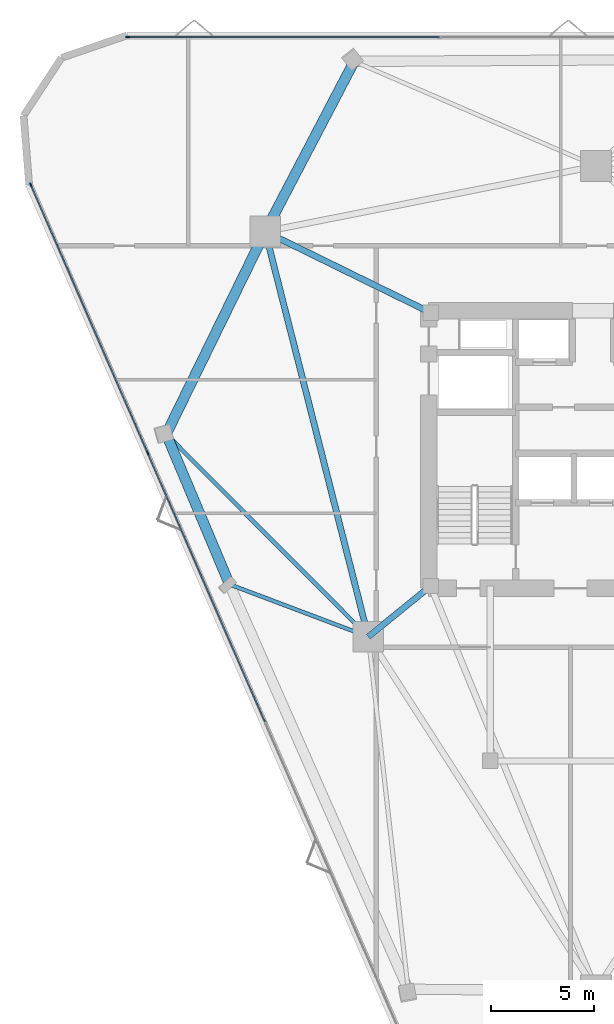
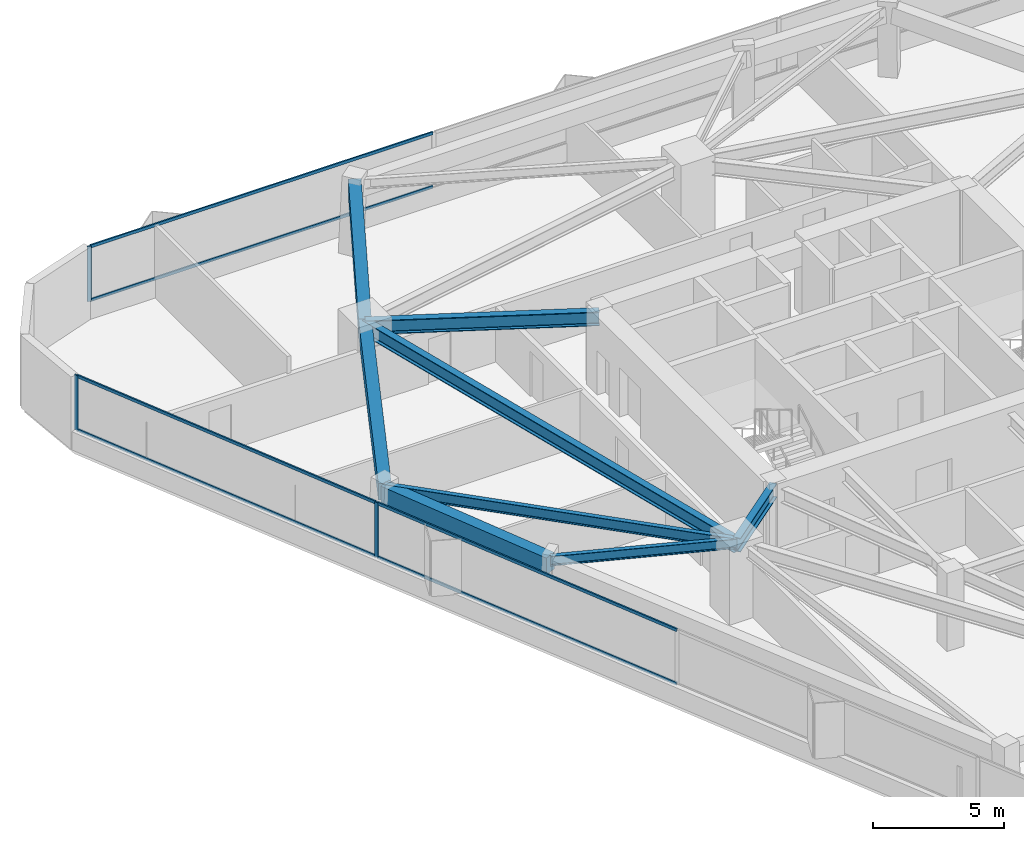
# One storey, part 4 of 11: 9 members, 8 beams, 2 elements without a shape of their own.
"""IFC4 building model written with IfcOpenShell, lengths in metres."""

import ifcopenshell
import ifcopenshell.guid

model = None  # the IFC model being written
_history = None  # IfcOwnerHistory: only IFC2X3 demands one
_inside = {}  # id of a spatial element -> (the spatial element, [elements in it])
_under = {}  # id of a project, library or spatial element -> (it, [spatial elements below it])
_declared = {}  # id of a project -> (the project, [libraries it declares])
_typed = {}  # id of a type object -> (the type object, [elements of that type])
_made_of = {}  # id of a material, layer set ... -> (it, [elements and type objects made of it])


def new_model(schema):
    """Start an empty IFC model of exactly this schema.

    Asked for "IFC4X3", IfcOpenShell would pick the latest addendum, in which some entities
    have other attributes; the version numbers below select the first issue.
    IFC2X3 requires an IfcOwnerHistory on every rooted entity: one is made here for all.
    """
    global model, _history
    if schema == "IFC4X3":
        model = ifcopenshell.file(schema_version=(4, 3, 0, 0))
    else:
        model = ifcopenshell.file(schema=schema)
    _inside.clear()
    _under.clear()
    _declared.clear()
    _typed.clear()
    _made_of.clear()
    _history = None
    if model.schema == "IFC2X3":
        org = make("IfcOrganization", Name="unknown")
        user = make(
            "IfcPersonAndOrganization",
            ThePerson=make("IfcPerson", FamilyName="unknown"),
            TheOrganization=org,
        )
        app = make(
            "IfcApplication",
            ApplicationDeveloper=org,
            Version="unknown",
            ApplicationFullName="unknown",
            ApplicationIdentifier="unknown",
        )
        _history = make(
            "IfcOwnerHistory",
            OwningUser=user,
            OwningApplication=app,
            ChangeAction="ADDED",
            CreationDate=0,
        )
    return model


def make(cls, **values):
    """One entity of the class cls with the attributes given. An attribute that is None is left unset."""
    return model.create_entity(
        cls, **{name: value for name, value in values.items() if value is not None}
    )


def rooted(cls, **values):
    """An entity with a GlobalId (a new one), such as an element, a storey or a relation."""
    return make(cls, GlobalId=ifcopenshell.guid.new(), OwnerHistory=_history, **values)


def si_unit(unit_type, name, prefix=None):
    """IfcSIUnit, for example si_unit("LENGTHUNIT", "METRE", prefix="MILLI")."""
    return make("IfcSIUnit", UnitType=unit_type, Prefix=prefix, Name=name)


def assignment(units):
    """IfcUnitAssignment: the units of a project."""
    return None if units is None else make("IfcUnitAssignment", Units=units)


def point(xyz):
    """IfcCartesianPoint."""
    return None if xyz is None else make("IfcCartesianPoint", Coordinates=xyz)


def direction(xyz):
    """IfcDirection."""
    return None if xyz is None else make("IfcDirection", DirectionRatios=xyz)


def frame(location, z_axis=None, x_axis=None):
    """IfcAxis2Placement3D, a coordinate frame: its origin and axes. An axis left out is left unset."""
    return make(
        "IfcAxis2Placement3D",
        Location=point(location),
        Axis=direction(z_axis),
        RefDirection=direction(x_axis),
    )


def frame_2d(location, x_axis=None):
    """IfcAxis2Placement2D, a coordinate frame in the plane: its origin and x axis."""
    return make(
        "IfcAxis2Placement2D", Location=point(location), RefDirection=direction(x_axis)
    )


def origin():
    """The frame at (0, 0, 0) with its axes left unset."""
    return frame((0.0, 0.0, 0.0))


def origin_2d():
    """The frame at (0, 0) in the plane with its x axis left unset."""
    return frame_2d((0.0, 0.0))


def place(relative_to, where):
    """IfcLocalPlacement: puts the frame where relative to a parent placement (None: the world)."""
    return make(
        "IfcLocalPlacement", PlacementRelTo=relative_to, RelativePlacement=where
    )


def context(
    kind, dimensions, precision=None, world=None, true_north=None, identifier=None
):
    """IfcGeometricRepresentationContext, for example the 3D "Model" context."""
    return make(
        "IfcGeometricRepresentationContext",
        ContextIdentifier=identifier,
        ContextType=kind,
        CoordinateSpaceDimension=dimensions,
        Precision=precision,
        WorldCoordinateSystem=world,
        TrueNorth=true_north,
    )


def subcontext(parent, identifier, kind, view, scale=None):
    """IfcGeometricRepresentationSubContext, for example "Body" below "Model"."""
    return make(
        "IfcGeometricRepresentationSubContext",
        ContextIdentifier=identifier,
        ContextType=kind,
        ParentContext=parent,
        TargetScale=scale,
        TargetView=view,
    )


def project(units=None, contexts=None):
    """IfcProject with its units and contexts."""
    return rooted(
        "IfcProject",
        Name="project",
        RepresentationContexts=contexts,
        UnitsInContext=assignment(units),
    )


def spatial(cls, under=None, at=None, **own):
    """A site, building, storey or space (cls), placed at a placement, below another one or the project."""
    s = rooted(cls, ObjectPlacement=at, **own)
    if under is not None:
        _under.setdefault(under.id(), (under, []))[1].append(s)
    return s


def profile(cls, at=None, kind="AREA", **sizes):
    """A parametric profile (cls). Its sizes go by their IFC names, for example OverallWidth=200.0."""
    return make(cls, ProfileType=kind, Position=at, **sizes)


def rectangle(**sizes):
    """IfcRectangleProfileDef."""
    return profile("IfcRectangleProfileDef", **sizes)


def i_section(**sizes):
    """IfcIShapeProfileDef."""
    return profile("IfcIShapeProfileDef", **sizes)


def extrude(swept, where, along, depth):
    """IfcExtrudedAreaSolid: the profile swept, set in the frame where, extruded along a direction by depth."""
    return make(
        "IfcExtrudedAreaSolid",
        SweptArea=swept,
        Position=where,
        ExtrudedDirection=direction(along),
        Depth=depth,
    )


def shape(context_of_items, identifier, shape_type, items):
    """IfcShapeRepresentation: the items that make up one representation, for example the "Body"."""
    return make(
        "IfcShapeRepresentation",
        ContextOfItems=context_of_items,
        RepresentationIdentifier=identifier,
        RepresentationType=shape_type,
        Items=items,
    )


def material(Name=None, Category=None):
    """IfcMaterial."""
    return make("IfcMaterial", Name=Name, Category=Category)


def layer(
    of_material, thickness, ventilated=None, Name=None, Category=None, Priority=None
):
    """IfcMaterialLayer: one layer of a wall or slab, of a material (None: an air gap)."""
    return make(
        "IfcMaterialLayer",
        Material=of_material,
        LayerThickness=thickness,
        IsVentilated=ventilated,
        Name=Name,
        Category=Category,
        Priority=Priority,
    )


def layer_set(layers, Name=None):
    """IfcMaterialLayerSet."""
    return make("IfcMaterialLayerSet", MaterialLayers=layers, LayerSetName=Name)


def material_profile(
    of_material, cross_section, Name=None, Category=None, Priority=None
):
    """IfcMaterialProfile: a cross section and its material."""
    return make(
        "IfcMaterialProfile",
        Name=Name,
        Material=of_material,
        Profile=cross_section,
        Priority=Priority,
        Category=Category,
    )


def profile_set(profiles, Name=None, composite=None):
    """IfcMaterialProfileSet."""
    return make(
        "IfcMaterialProfileSet",
        Name=Name,
        MaterialProfiles=profiles,
        CompositeProfile=composite,
    )


def made_of(thing, what):
    """Note that an element or type object is made of a material, layer set ...; save() writes the relation."""
    if what is not None:
        _made_of.setdefault(what.id(), (what, []))[1].append(thing)
    return thing


def type_object(cls, material=None, **own):
    """A type object (cls), such as IfcWallType, which elements share."""
    return made_of(rooted(cls, **own), material)


def element(
    cls,
    number,
    at=None,
    inside=None,
    cuts=None,
    type_object=None,
    material=None,
    context=None,
    identifier="Body",
    shape_type=None,
    held_by="IfcProductDefinitionShape",
    body=None,
    shapes=None,
    **own,
):
    """One element of the class cls, such as IfcWall. Its Tag is "e" and its number.

    at: its placement. inside: the storey or other place that contains it. cuts: it is an
    opening in that element (IfcRelVoidsElement). A single representation is given by context,
    identifier, shape_type and body (its items); several are given by shapes. held_by: the class
    of the entity that holds the representations. save() writes the other relations.
    """
    e = rooted(cls, Tag="e%d" % number, ObjectPlacement=at, **own)
    if body is not None:
        shapes = [shape(context, identifier, shape_type, body)]
    if shapes is not None:
        e.Representation = make(held_by, Representations=shapes)
    if inside is not None:
        _inside.setdefault(inside.id(), (inside, []))[1].append(e)
    if cuts is not None:
        rooted(
            "IfcRelVoidsElement", RelatingBuildingElement=cuts, RelatedOpeningElement=e
        )
    if type_object is not None:
        _typed.setdefault(type_object.id(), (type_object, []))[1].append(e)
    return made_of(e, material)


def aggregate(whole, parts):
    """IfcRelAggregates: a whole, such as a stair, and the parts it consists of."""
    return rooted("IfcRelAggregates", RelatingObject=whole, RelatedObjects=parts)


def save(model, path):
    """Write the relations noted so far, then the file.

    IfcRelAggregates (storeys below a building ...), IfcRelContainedInSpatialStructure (elements
    in a storey), IfcRelDefinesByType, IfcRelAssociatesMaterial and IfcRelDeclares: one each for
    every whole, place, type object, material and project.
    """
    for whole, parts in _under.values():
        aggregate(whole, parts)
    for where, things in _inside.values():
        rooted(
            "IfcRelContainedInSpatialStructure",
            RelatedElements=things,
            RelatingStructure=where,
        )
    for kind, things in _typed.values():
        rooted("IfcRelDefinesByType", RelatedObjects=things, RelatingType=kind)
    for what, things in _made_of.values():
        rooted("IfcRelAssociatesMaterial", RelatedObjects=things, RelatingMaterial=what)
    for by, libraries in _declared.values():
        rooted("IfcRelDeclares", RelatingContext=by, RelatedDefinitions=libraries)
    model.write(path)


model = new_model("IFC4")

# Units and contexts
model_context = context("Model", 3, precision=1e-05, world=origin(), true_north=direction((0.0, 1.0)))
body_context = subcontext(model_context, "Body", "Model", "MODEL_VIEW")
ifc_project = project(units=[si_unit("LENGTHUNIT", "METRE"), si_unit("AREAUNIT", "SQUARE_METRE"), si_unit("VOLUMEUNIT", "CUBIC_METRE"), si_unit("PLANEANGLEUNIT", "RADIAN"), si_unit("MASSUNIT", "GRAM", prefix="KILO")], contexts=[model_context])

# Site, building, storey
site_placement = place(None, origin())
site = spatial("IfcSite", under=ifc_project, at=site_placement, CompositionType="ELEMENT")
building_placement = place(site_placement, origin())
building = spatial("IfcBuilding", under=site, at=building_placement, Name="Talyreon Biosciences Tower", CompositionType="ELEMENT")
storey_placement = place(building_placement, frame((0.0, 0.0, 160.050048828125)))
storey = spatial("IfcBuildingStorey", under=building, at=storey_placement, Name="L42", CompositionType="ELEMENT", Elevation=160.050048828125)

# Curtain wall, members
ifc_material_1 = material(Name="Thermally broken aluminium and low-E glazing", Category="aluminium")
ifc_layer = layer(ifc_material_1, 0.18505859375)
ifc_layer_set = layer_set([ifc_layer], Name="Thermally broken aluminium and low-E glazing")
curtain_wall_type = type_object("IfcCurtainWallType", Name="CurtainWall_Zone3Bioprocess", PredefinedType="NOTDEFINED", material=ifc_layer_set)
curtain_wall_1_placement = place(storey_placement, origin())
curtain_wall_1 = element("IfcCurtainWall", 1, at=curtain_wall_1_placement, inside=storey, type_object=curtain_wall_type, Name="L42 Unitised Curtain Wall FCW-L42-00", PredefinedType="NOTDEFINED")
ifc_material_2 = material(Name="Anodised thermally broken aluminium", Category="aluminium")
ifc_material_profile_1 = material_profile(ifc_material_2, rectangle(XDim=0.06494140625, YDim=0.179931640625, at=origin_2d()), Name="ALUM MULLION 65x180")
ifc_profile_set_1 = profile_set([ifc_material_profile_1], Name="Anodised thermally broken aluminium")
member_type_1 = type_object("IfcMemberType", Name="CWMullion_65x180", PredefinedType="MULLION", material=ifc_profile_set_1)
member_1_placement = place(storey_placement, frame((44.18603515625, 67.81201171875, 0.81005859375), z_axis=(0.0, 0.0, 1.0), x_axis=(-0.916731187474, -0.399504605621, 0.0)))
member_1 = element("IfcMember", 2, at=member_1_placement, type_object=member_type_1, Name="CW4 mullion 4", PredefinedType="MULLION", context=body_context, shape_type="SweptSolid", body=[
    extrude(rectangle(XDim=0.06494140625, YDim=0.179931640625, at=origin_2d()), origin(), (0.0, 0.0, 1.0), 2.56494140625),
])
member_2_placement = place(storey_placement, frame((38.492431640625, 80.877197265625, 0.81005859375), z_axis=(0.0, 0.0, 1.0), x_axis=(-0.916731187474, -0.399504605621, 0.0)))
member_2 = element("IfcMember", 3, at=member_2_placement, type_object=member_type_1, Name="CW4 mullion 5", PredefinedType="MULLION", context=body_context, shape_type="SweptSolid", body=[
    extrude(rectangle(XDim=0.06494140625, YDim=0.179931640625, at=origin_2d()), origin(), (0.0, 0.0, 1.0), 2.56494140625),
])

# Curtain wall, member
curtain_wall_2_placement = place(storey_placement, origin())
curtain_wall_2 = element("IfcCurtainWall", 4, at=curtain_wall_2_placement, inside=storey, type_object=curtain_wall_type, Name="L42 Unitised Curtain Wall FCW-L42-04", PredefinedType="NOTDEFINED")
member_3_placement = place(storey_placement, frame((43.20556640625, 88.072509765625, 0.81005859375), z_axis=(0.0, 0.0, 1.0), x_axis=(0.0, 1.0, 0.0)))
member_3 = element("IfcMember", 5, at=member_3_placement, type_object=member_type_1, Name="CW4 mullion 1", PredefinedType="MULLION", context=body_context, shape_type="SweptSolid", body=[
    extrude(rectangle(XDim=0.06494140625, YDim=0.179931640625, at=origin_2d()), origin(), (0.0, 0.0, 1.0), 2.56494140625),
])

# Member
ifc_material_profile_2 = material_profile(ifc_material_2, rectangle(XDim=0.06494140625, YDim=0.139892578125, at=origin_2d()), Name="ALUM TRANSOM 65x140")
ifc_profile_set_2 = profile_set([ifc_material_profile_2], Name="Anodised thermally broken aluminium")
member_type_2 = type_object("IfcMemberType", Name="CWTransom_65x140", PredefinedType="USERDEFINED", material=ifc_profile_set_2)
member_4_placement = place(storey_placement, frame((49.8798828125, 54.746826171875, 0.842529296875), z_axis=(-0.399500699967, 0.916732889519, 0.0), x_axis=(-0.916732889519, -0.399500699967, 0.0)))
member_4 = element("IfcMember", 6, at=member_4_placement, type_object=member_type_2, Name="CW4 transom 3.1", ObjectType="TRANSOM", PredefinedType="USERDEFINED", context=body_context, shape_type="SweptSolid", body=[
    extrude(rectangle(XDim=0.06494140625, YDim=0.139892578125, at=origin_2d()), origin(), (0.0, 0.0, 1.0), 14.219482421875),
])

member_5_placement = place(storey_placement, frame((49.8798828125, 54.746826171875, 3.342529296875), z_axis=(-0.399500699967, 0.916732889519, 0.0), x_axis=(-0.916732889519, -0.399500699967, 0.0)))
member_5 = element("IfcMember", 7, at=member_5_placement, type_object=member_type_2, Name="CW4 transom 3.2", ObjectType="TRANSOM", PredefinedType="USERDEFINED", context=body_context, shape_type="SweptSolid", body=[
    extrude(rectangle(XDim=0.06494140625, YDim=0.139892578125, at=origin_2d()), origin(), (0.0, 0.0, 1.0), 14.219482421875),
])

member_6_placement = place(storey_placement, frame((44.173095703125, 67.841796875, 0.842529296875), z_axis=(-0.399503101725, 0.916731842859, 0.0), x_axis=(-0.916731842859, -0.399503101725, 0.0)))
member_6 = element("IfcMember", 8, at=member_6_placement, type_object=member_type_2, Name="CW4 transom 4.1", ObjectType="TRANSOM", PredefinedType="USERDEFINED", context=body_context, shape_type="SweptSolid", body=[
    extrude(rectangle(XDim=0.06494140625, YDim=0.139892578125, at=origin_2d()), origin(), (0.0, 0.0, 1.0), 14.18701171875),
])

member_7_placement = place(storey_placement, frame((44.173095703125, 67.841796875, 3.342529296875), z_axis=(-0.399503101725, 0.916731842859, 0.0), x_axis=(-0.916731842859, -0.399503101725, 0.0)))
member_7 = element("IfcMember", 9, at=member_7_placement, type_object=member_type_2, Name="CW4 transom 4.2", ObjectType="TRANSOM", PredefinedType="USERDEFINED", context=body_context, shape_type="SweptSolid", body=[
    extrude(rectangle(XDim=0.06494140625, YDim=0.139892578125, at=origin_2d()), origin(), (0.0, 0.0, 1.0), 14.18701171875),
])

aggregate(curtain_wall_1, [member_1, member_2, member_4, member_5, member_6, member_7])

member_8_placement = place(storey_placement, frame((43.238037109375, 88.072509765625, 0.842529296875), z_axis=(1.0, 0.0, 0.0), x_axis=(0.0, 1.0, 0.0)))
member_8 = element("IfcMember", 10, at=member_8_placement, type_object=member_type_2, Name="CW4 transom 1.1", ObjectType="TRANSOM", PredefinedType="USERDEFINED", context=body_context, shape_type="SweptSolid", body=[
    extrude(rectangle(XDim=0.06494140625, YDim=0.139892578125, at=origin_2d()), origin(), (0.0, 0.0, 1.0), 15.12060546875),
])

member_9_placement = place(storey_placement, frame((43.238037109375, 88.072509765625, 3.342529296875), z_axis=(1.0, 0.0, 0.0), x_axis=(0.0, 1.0, 0.0)))
member_9 = element("IfcMember", 11, at=member_9_placement, type_object=member_type_2, Name="CW4 transom 1.2", ObjectType="TRANSOM", PredefinedType="USERDEFINED", context=body_context, shape_type="SweptSolid", body=[
    extrude(rectangle(XDim=0.06494140625, YDim=0.139892578125, at=origin_2d()), origin(), (0.0, 0.0, 1.0), 15.12060546875),
])

aggregate(curtain_wall_2, [member_3, member_8, member_9])

# Beams
ifc_material_3 = material(Name="Precast concrete C45/55", Category="concrete")
ifc_material_profile_3 = material_profile(ifc_material_3, rectangle(XDim=0.5, YDim=0.780029296875, at=origin_2d()), Name="RCB 500x780")
ifc_profile_set_3 = profile_set([ifc_material_profile_3], Name="Precast concrete C45/55")
beam_type_1 = type_object("IfcBeamType", Name="ExpressedSpandrel_500x780", PredefinedType="SPANDREL", material=ifc_profile_set_3)
beam_1_placement = place(storey_placement, frame((54.22802734375, 86.88037109375, 2.98486328125), z_axis=(-0.463357726352, -0.8861713251, 0.0), x_axis=(0.8861713251, -0.463357726352, 0.0)))
element("IfcBeam", 12, at=beam_1_placement, inside=storey, type_object=beam_type_1, Name="L42 Expressed Horizontal Concrete Spandrel 08", PredefinedType="SPANDREL", context=body_context, shape_type="SweptSolid", body=[
    extrude(rectangle(XDim=0.5, YDim=0.780029296875, at=origin_2d()), origin(), (0.0, 0.0, 1.0), 9.345458984375),
])
beam_2_placement = place(storey_placement, frame((49.897705078125, 78.5986328125, 2.98486328125), z_axis=(-0.439022511785, -0.898476062088, 0.0), x_axis=(0.898476062088, -0.439022511785, 0.0)))
element("IfcBeam", 13, at=beam_2_placement, inside=storey, type_object=beam_type_1, Name="L42 Expressed Horizontal Concrete Spandrel 09", PredefinedType="SPANDREL", context=body_context, shape_type="SweptSolid", body=[
    extrude(rectangle(XDim=0.5, YDim=0.780029296875, at=origin_2d()), origin(), (0.0, 0.0, 1.0), 10.9697265625),
])
beam_3_placement = place(storey_placement, frame((45.081787109375, 68.74267578125, 2.98486328125), z_axis=(0.387839670777, -0.92172685204, 0.0), x_axis=(0.92172685204, 0.387839670777, 0.0)))
element("IfcBeam", 14, at=beam_3_placement, inside=storey, type_object=beam_type_1, Name="L42 Expressed Horizontal Concrete Spandrel 10", PredefinedType="SPANDREL", context=body_context, shape_type="SweptSolid", body=[
    extrude(rectangle(XDim=0.5, YDim=0.780029296875, at=origin_2d()), origin(), (0.0, 0.0, 1.0), 7.935302734375),
])
ifc_material_4 = material(Name="Steel SM355", Category="steel")
ifc_material_profile_4 = material_profile(ifc_material_4, i_section(OverallWidth=0.300048828125, OverallDepth=0.64990234375, WebThickness=0.01611328125, FlangeThickness=0.031005859375, FilletRadius=0.027099609375, at=origin_2d()), Name="HE650B")
ifc_profile_set_4 = profile_set([ifc_material_profile_4], Name="Steel SM355")
beam_type_2 = type_object("IfcBeamType", Name="SteelBeam_HE650B", PredefinedType="BEAM", material=ifc_profile_set_4)
beam_4_placement = place(storey_placement, frame((49.897705078125, 78.5986328125, 3.050048828125), z_axis=(0.246537082299, -0.969133358755, 0.0), x_axis=(0.969133358755, 0.246537082299, 0.0)))
element("IfcBeam", 15, at=beam_4_placement, inside=storey, type_object=beam_type_2, Name="L42 Mega-Ring Girder 5", PredefinedType="BEAM", context=body_context, shape_type="SweptSolid", body=[
    extrude(i_section(OverallWidth=0.300048828125, OverallDepth=0.64990234375, WebThickness=0.01611328125, FlangeThickness=0.031005859375, FilletRadius=0.027099609375, at=origin_2d()), origin(), (0.0, 0.0, 1.0), 20.34619140625),
])
beam_5_placement = place(storey_placement, frame((57.949951171875, 74.64990234375, 3.050048828125), z_axis=(-0.897852360314, 0.440296648952, 0.0), x_axis=(-0.440296648952, -0.897852360314, 0.0)))
element("IfcBeam", 16, at=beam_5_placement, inside=storey, type_object=beam_type_2, Name="L42 Radial Primary Girder 5", PredefinedType="BEAM", context=body_context, shape_type="SweptSolid", body=[
    extrude(i_section(OverallWidth=0.300048828125, OverallDepth=0.64990234375, WebThickness=0.01611328125, FlangeThickness=0.031005859375, FilletRadius=0.027099609375, at=origin_2d()), origin(), (0.0, 0.0, 1.0), 8.96826171875),
])
beam_6_placement = place(storey_placement, frame((57.949951171875, 61.35009765625, 3.050048828125), z_axis=(-0.775755154013, -0.631034025249, 0.0), x_axis=(0.631034025249, -0.775755154013, 0.0)))
element("IfcBeam", 17, at=beam_6_placement, inside=storey, type_object=beam_type_2, Name="L42 Radial Primary Girder 6", PredefinedType="BEAM", context=body_context, shape_type="SweptSolid", body=[
    extrude(i_section(OverallWidth=0.300048828125, OverallDepth=0.64990234375, WebThickness=0.01611328125, FlangeThickness=0.031005859375, FilletRadius=0.027099609375, at=origin_2d()), origin(), (0.0, 0.0, 1.0), 3.913818359375),
])
ifc_material_profile_5 = material_profile(ifc_material_4, i_section(OverallWidth=0.18994140625, OverallDepth=0.449951171875, WebThickness=0.009521484375, FlangeThickness=0.0146484375, FilletRadius=0.02099609375, at=origin_2d()), Name="IPE450")
ifc_profile_set_5 = profile_set([ifc_material_profile_5], Name="Steel SM355")
beam_type_3 = type_object("IfcBeamType", Name="SteelJoist_IPE450", PredefinedType="JOIST", material=ifc_profile_set_5)
beam_7_placement = place(storey_placement, frame((54.913818359375, 58.88037109375, 3.14990234375), z_axis=(-0.935635228067, 0.352968440517, 0.0), x_axis=(-0.352968440517, -0.935635228067, 0.0)))
element("IfcBeam", 18, at=beam_7_placement, inside=storey, type_object=beam_type_3, Name="L42 Radial Composite Floor Joist PL-SW", PredefinedType="JOIST", context=body_context, shape_type="SweptSolid", body=[
    extrude(i_section(OverallWidth=0.18994140625, OverallDepth=0.449951171875, WebThickness=0.009521484375, FlangeThickness=0.0146484375, FilletRadius=0.02099609375, at=origin_2d()), origin(), (0.0, 0.0, 1.0), 7.218994140625),
])
ifc_material_profile_6 = material_profile(ifc_material_4, i_section(OverallWidth=0.199951171875, OverallDepth=0.5, WebThickness=0.01025390625, FlangeThickness=0.01611328125, FilletRadius=0.02099609375, at=origin_2d()), Name="IPE500")
ifc_profile_set_6 = profile_set([ifc_material_profile_6], Name="Steel SM355")
beam_type_4 = type_object("IfcBeamType", Name="SteelJoist_IPE500", PredefinedType="JOIST", material=ifc_profile_set_6)
beam_8_placement = place(storey_placement, frame((54.913818359375, 58.88037109375, 3.125), z_axis=(-0.706019007504, 0.708192884067, 0.0), x_axis=(-0.708192884067, -0.706019007504, 0.0)))
element("IfcBeam", 19, at=beam_8_placement, inside=storey, type_object=beam_type_4, Name="L42 Radial Composite Floor Joist PC-SW1", PredefinedType="JOIST", context=body_context, shape_type="SweptSolid", body=[
    extrude(i_section(OverallWidth=0.199951171875, OverallDepth=0.5, WebThickness=0.01025390625, FlangeThickness=0.01611328125, FilletRadius=0.02099609375, at=origin_2d()), origin(), (0.0, 0.0, 1.0), 13.926025390625),
])

save(model, "model.ifc")
